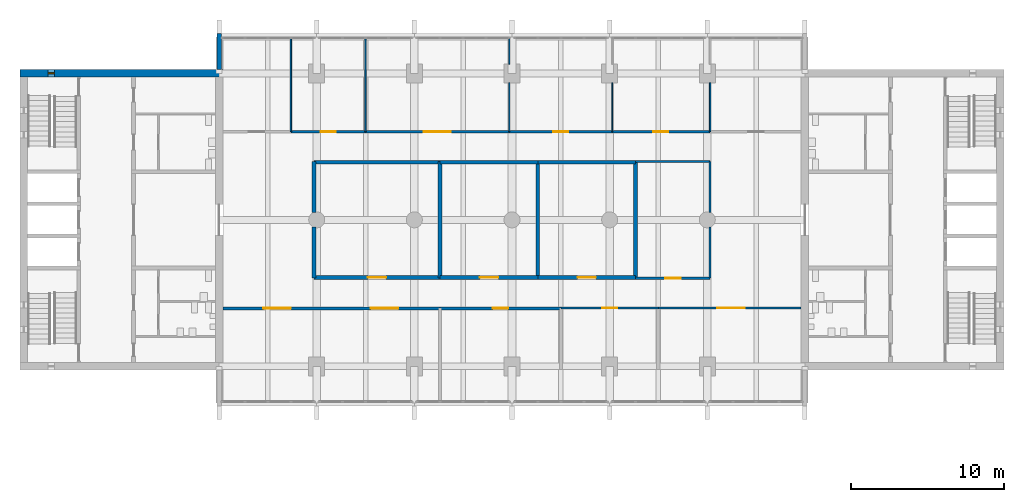
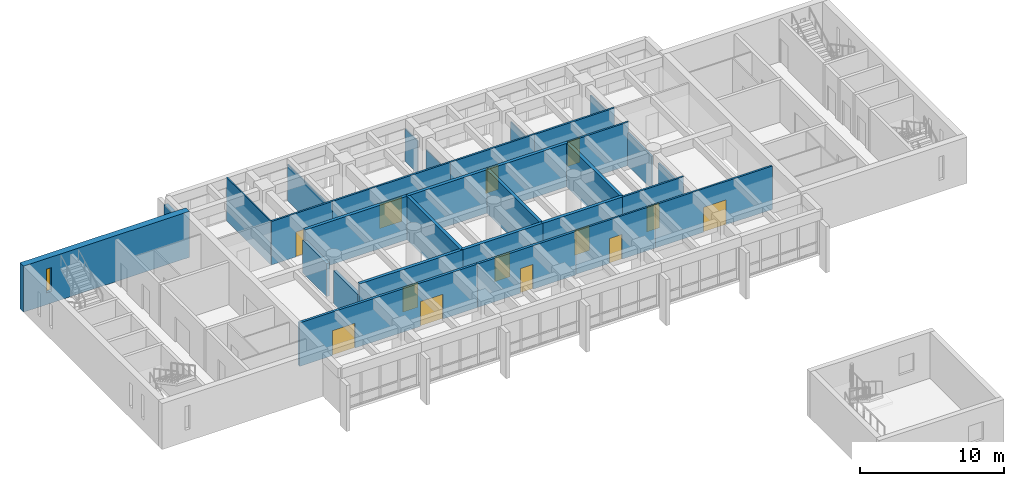
# One storey, part 12 of 19: 31 walls, 13 doors, 1 window, 14 openings.
"""IFC4 building model written with IfcOpenShell, lengths in metres."""

from ifc_helpers import new_model, si_unit, direction, frame, frame_2d, origin, place, context, subcontext, project, spatial, rectangle, extrude, material, layer, layer_set, type_object, element, fill, save


model = new_model("IFC4")

# Units and contexts
model_context = context("Model", 3, precision=1e-05, world=origin(), true_north=direction((0.0, 1.0)))
body_context = subcontext(model_context, "Body", "Model", "MODEL_VIEW")
ifc_project = project(units=[si_unit("LENGTHUNIT", "METRE"), si_unit("AREAUNIT", "SQUARE_METRE"), si_unit("VOLUMEUNIT", "CUBIC_METRE"), si_unit("PLANEANGLEUNIT", "RADIAN"), si_unit("MASSUNIT", "GRAM", prefix="KILO")], contexts=[model_context])

# Site, building, storey
site_placement = place(None, origin())
site = spatial("IfcSite", under=ifc_project, at=site_placement, CompositionType="ELEMENT")
building_placement = place(site_placement, origin())
building = spatial("IfcBuilding", under=site, at=building_placement, Name="Fogon Plaza Fire Station and Headquarters Tower", CompositionType="ELEMENT")
storey_placement = place(building_placement, frame((0.0, 0.0, 21.0)))
storey = spatial("IfcBuildingStorey", under=building, at=storey_placement, Name="L05", CompositionType="ELEMENT", Elevation=21.0)

# Wall
ifc_material_1 = material(Name="Concrete C40", Category="concrete")
ifc_layer_1 = layer(ifc_material_1, 0.300048828125)
ifc_layer_set_1 = layer_set([ifc_layer_1], Name="Concrete C40")
wall_type_1 = type_object("IfcWallType", Name="Fair-faced RC Return Panel 300", PredefinedType="SOLIDWALL", material=ifc_layer_set_1)
wall_1_placement = place(storey_placement, frame((25.60009765625, 53.050048828125, 0.0), z_axis=(0.0, 0.0, 1.0), x_axis=(0.0, 1.0, 0.0)))
element("IfcWall", 1, at=wall_1_placement, inside=storey, type_object=wall_type_1, Name="Bar end return WN L05", PredefinedType="SOLIDWALL", context=body_context, shape_type="SweptSolid", body=[
    extrude(rectangle(XDim=2.349853515625, YDim=0.300048828125, at=frame_2d((1.1748046875, 0.0))), origin(), (0.0, 0.0, 1.0), 2.8798828125),
])

# Wall, opening, window
ifc_material_2 = material(Name="Concrete C40", Category="concrete")
ifc_layer_2 = layer(ifc_material_2, 0.5)
ifc_layer_set_2 = layer_set([ifc_layer_2], Name="Concrete C40")
wall_type_2 = type_object("IfcWallType", Name="Shear wall 500 SW50", PredefinedType="SHEAR", material=ifc_layer_set_2)
wall_2_placement = place(storey_placement, frame((12.550048828125, 52.800048828125, 0.0), z_axis=(0.0, 0.0, 1.0), x_axis=(1.0, 0.0, 0.0)))
wall_2 = element("IfcWall", 2, at=wall_2_placement, inside=storey, type_object=wall_type_2, Name="wall-coreA-N-L05", PredefinedType="SHEAR", context=body_context, shape_type="SweptSolid", body=[
    extrude(rectangle(XDim=13.300048828125, YDim=0.5, at=frame_2d((6.64990234375, 0.0))), origin(), (0.0, 0.0, 1.0), 3.89990234375),
])
opening_1_placement = place(wall_2_placement, frame((1.85009765625, 0.0, 1.0)))
opening_1 = element("IfcOpeningElement", 3, at=opening_1_placement, cuts=wall_2, Name="Opening WS1", PredefinedType="OPENING", context=body_context, shape_type="SweptSolid", body=[
    extrude(rectangle(XDim=0.39990234375, YDim=2.0, at=frame_2d((0.199951171875, 1.0))), frame((0.0, 0.260009765625, 0.0), z_axis=(0.0, -1.0, 0.0), x_axis=(1.0, 0.0, 0.0)), (0.0, 0.0, 1.0), 0.52001953125),
])
ifc_material_3 = material(Name="Aluminium framed double glazing", Category="aluminium")
window_type = type_object("IfcWindowType", Name="Slit Window WS1 400x2000", PartitioningType="SINGLE_PANEL", PredefinedType="WINDOW", material=ifc_material_3)
window_placement = place(opening_1_placement, origin())
window = element("IfcWindow", 4, at=window_placement, inside=storey, type_object=window_type, Name="Slit window A6 L05", OverallHeight=2.0, OverallWidth=0.39990234375, PartitioningType="SINGLE_PANEL", PredefinedType="WINDOW", context=body_context, shape_type="SweptSolid", body=[
    extrude(rectangle(XDim=0.39990234375, YDim=2.0, at=frame_2d((0.199951171875, 1.0))), frame((0.0, 0.030029296875, 0.0), z_axis=(0.0, -1.0, 0.0), x_axis=(1.0, 0.0, 0.0)), (0.0, 0.0, 1.0), 0.06005859375),
])
fill(opening_1, window)

# Wall, openings, doors
ifc_material_4 = material(Name="Concrete block masonry", Category="masonry")
ifc_layer_3 = layer(ifc_material_4, 0.199951171875)
ifc_layer_set_3 = layer_set([ifc_layer_3], Name="Concrete block masonry")
wall_type_3 = type_object("IfcWallType", Name="Tower compartment wall 200 EI 120", PredefinedType="PARTITIONING", material=ifc_layer_set_3)
wall_3_placement = place(storey_placement, frame((25.85009765625, 37.39990234375, 0.0), z_axis=(0.0, 0.0, 1.0), x_axis=(1.0, 0.0, 0.0)))
wall_3 = element("IfcWall", 5, at=wall_3_placement, inside=storey, type_object=wall_type_3, Name="part-L05-01", PredefinedType="PARTITIONING", context=body_context, shape_type="SweptSolid", body=[
    extrude(rectangle(XDim=14.239990234375, YDim=0.199951171875, at=frame_2d((7.1201171875, 0.0))), origin(), (0.0, 0.0, 1.0), 3.679931640625),
])
opening_2_placement = place(wall_3_placement, frame((2.64990234375, 0.0, 0.0)))
opening_2 = element("IfcOpeningElement", 6, at=opening_2_placement, cuts=wall_3, Name="Opening L05-D29", PredefinedType="OPENING", context=body_context, shape_type="SweptSolid", body=[
    extrude(rectangle(XDim=1.800048828125, YDim=2.10009765625, at=frame_2d((0.89990234375, 1.050048828125))), frame((0.0, 0.10986328125, 0.0), z_axis=(0.0, -1.0, 0.0), x_axis=(1.0, 0.0, 0.0)), (0.0, 0.0, 1.0), 0.219970703125),
])
opening_3_placement = place(wall_3_placement, frame((9.699951171875, 0.0, 0.0)))
opening_3 = element("IfcOpeningElement", 7, at=opening_3_placement, cuts=wall_3, Name="Opening L05-D30", PredefinedType="OPENING", context=body_context, shape_type="SweptSolid", body=[
    extrude(rectangle(XDim=1.800048828125, YDim=2.10009765625, at=frame_2d((0.89990234375, 1.050048828125))), frame((0.0, 0.10986328125, 0.0), z_axis=(0.0, -1.0, 0.0), x_axis=(1.0, 0.0, 0.0)), (0.0, 0.0, 1.0), 0.219970703125),
])
ifc_material_5 = material(Name="Steel fire door", Category="steel")
door_type_1 = type_object("IfcDoorType", Name="Tower compartment door double 1800 EI 90", OperationType="DOUBLE_DOOR_SINGLE_SWING", PredefinedType="DOOR", material=ifc_material_5)
door_1_placement = place(opening_2_placement, frame((1.800048828125, 0.0, 0.0), z_axis=(0.0, 0.0, 1.0), x_axis=(-1.0, 0.0, 0.0)))
door_1 = element("IfcDoor", 8, at=door_1_placement, inside=storey, type_object=door_type_1, Name="door-L05-01", OperationType="DOUBLE_DOOR_SINGLE_SWING", OverallHeight=2.10009765625, OverallWidth=1.800048828125, PredefinedType="DOOR", context=body_context, shape_type="SweptSolid", body=[
    extrude(rectangle(XDim=1.800048828125, YDim=2.10009765625, at=frame_2d((0.89990234375, 1.050048828125))), frame((0.0, 0.02490234375, 0.0), z_axis=(0.0, -1.0, 0.0), x_axis=(1.0, 0.0, 0.0)), (0.0, 0.0, 1.0), 0.050048828125),
])
fill(opening_2, door_1)
door_2_placement = place(opening_3_placement, frame((1.800048828125, 0.0, 0.0), z_axis=(0.0, 0.0, 1.0), x_axis=(-1.0, 0.0, 0.0)))
door_2 = element("IfcDoor", 9, at=door_2_placement, inside=storey, type_object=door_type_1, Name="door-L05-02", OperationType="DOUBLE_DOOR_SINGLE_SWING", OverallHeight=2.10009765625, OverallWidth=1.800048828125, PredefinedType="DOOR", context=body_context, shape_type="SweptSolid", body=[
    extrude(rectangle(XDim=1.800048828125, YDim=2.10009765625, at=frame_2d((0.89990234375, 1.050048828125))), frame((0.0, 0.02490234375, 0.0), z_axis=(0.0, -1.0, 0.0), x_axis=(1.0, 0.0, 0.0)), (0.0, 0.0, 1.0), 0.050048828125),
])
fill(opening_3, door_2)

# Wall, opening, door
wall_4_placement = place(storey_placement, frame((40.090087890625, 37.39990234375, 0.0), z_axis=(0.0, 0.0, 1.0), x_axis=(1.0, 0.0, 0.0)))
wall_4 = element("IfcWall", 10, at=wall_4_placement, inside=storey, type_object=wall_type_3, Name="part-L05-02", PredefinedType="PARTITIONING", context=body_context, shape_type="SweptSolid", body=[
    extrude(rectangle(XDim=7.909912109375, YDim=0.199951171875, at=frame_2d((3.955078125, 0.0))), origin(), (0.0, 0.0, 1.0), 3.679931640625),
])
opening_4_placement = place(wall_4_placement, frame((3.4599609375, 0.0, 0.0)))
opening_4 = element("IfcOpeningElement", 11, at=opening_4_placement, cuts=wall_4, Name="Opening L05-D31", PredefinedType="OPENING", context=body_context, shape_type="SweptSolid", body=[
    extrude(rectangle(XDim=1.0, YDim=2.10009765625, at=frame_2d((0.5, 1.050048828125))), frame((0.0, 0.10986328125, 0.0), z_axis=(0.0, -1.0, 0.0), x_axis=(1.0, 0.0, 0.0)), (0.0, 0.0, 1.0), 0.219970703125),
])
ifc_material_6 = material(Name="Steel fire door", Category="steel")
door_type_2 = type_object("IfcDoorType", Name="Tower compartment door single 1000 EI 90", OperationType="SINGLE_SWING_LEFT", PredefinedType="DOOR", material=ifc_material_6)
door_3_placement = place(opening_4_placement, frame((1.0, 0.0, 0.0), z_axis=(0.0, 0.0, 1.0), x_axis=(-1.0, 0.0, 0.0)))
door_3 = element("IfcDoor", 12, at=door_3_placement, inside=storey, type_object=door_type_2, Name="door-L05-03", OperationType="SINGLE_SWING_LEFT", OverallHeight=2.10009765625, OverallWidth=1.0, PredefinedType="DOOR", context=body_context, shape_type="SweptSolid", body=[
    extrude(rectangle(XDim=1.0, YDim=2.10009765625, at=frame_2d((0.5, 1.050048828125))), frame((0.0, 0.02490234375, 0.0), z_axis=(0.0, -1.0, 0.0), x_axis=(1.0, 0.0, 0.0)), (0.0, 0.0, 1.0), 0.050048828125),
])
fill(opening_4, door_3)

ifc_material_7 = material(Name="Gypsum board on steel stud", Category="steel")
ifc_layer_4 = layer(ifc_material_7, 0.14990234375)
ifc_layer_set_4 = layer_set([ifc_layer_4], Name="Gypsum board on steel stud")
wall_type_4 = type_object("IfcWallType", Name="Tower corridor partition 150 EI 60", PredefinedType="PARTITIONING", material=ifc_layer_set_4)
wall_5_placement = place(storey_placement, frame((48.0, 37.425048828125, 0.0), z_axis=(0.0, 0.0, 1.0), x_axis=(1.0, 0.0, 0.0)))
wall_5 = element("IfcWall", 13, at=wall_5_placement, inside=storey, type_object=wall_type_4, Name="part-L05-03", PredefinedType="PARTITIONING", context=body_context, shape_type="SweptSolid", body=[
    extrude(rectangle(XDim=6.39990234375, YDim=0.14990234375, at=frame_2d((3.199951171875, 0.0))), origin(), (0.0, 0.0, 1.0), 3.679931640625),
])
opening_5_placement = place(wall_5_placement, frame((2.699951171875, 0.0, 0.0)))
opening_5 = element("IfcOpeningElement", 14, at=opening_5_placement, cuts=wall_5, Name="Opening L05-D32", PredefinedType="OPENING", context=body_context, shape_type="SweptSolid", body=[
    extrude(rectangle(XDim=1.0, YDim=2.10009765625, at=frame_2d((0.5, 1.050048828125))), frame((0.0, 0.0849609375, 0.0), z_axis=(0.0, -1.0, 0.0), x_axis=(1.0, 0.0, 0.0)), (0.0, 0.0, 1.0), 0.169921875),
])
ifc_material_8 = material(Name="Fire rated glazed door")
door_type_3 = type_object("IfcDoorType", Name="Tower glazed fire door single 1000 EI 20", OperationType="SINGLE_SWING_LEFT", PredefinedType="DOOR", material=ifc_material_8)
door_4_placement = place(opening_5_placement, frame((1.0, 0.0, 0.0), z_axis=(0.0, 0.0, 1.0), x_axis=(-1.0, 0.0, 0.0)))
door_4 = element("IfcDoor", 15, at=door_4_placement, inside=storey, type_object=door_type_3, Name="door-L05-04", OperationType="SINGLE_SWING_RIGHT", OverallHeight=2.10009765625, OverallWidth=1.0, PredefinedType="DOOR", context=body_context, shape_type="SweptSolid", body=[
    extrude(rectangle(XDim=1.0, YDim=2.10009765625, at=frame_2d((0.5, 1.050048828125))), frame((0.0, 0.02490234375, 0.0), z_axis=(0.0, -1.0, 0.0), x_axis=(1.0, 0.0, 0.0)), (0.0, 0.0, 1.0), 0.050048828125),
])
fill(opening_5, door_4)

wall_6_placement = place(storey_placement, frame((54.39990234375, 37.425048828125, 0.0), z_axis=(0.0, 0.0, 1.0), x_axis=(1.0, 0.0, 0.0)))
wall_6 = element("IfcWall", 16, at=wall_6_placement, inside=storey, type_object=wall_type_4, Name="part-L05-04", PredefinedType="PARTITIONING", context=body_context, shape_type="SweptSolid", body=[
    extrude(rectangle(XDim=9.35009765625, YDim=0.14990234375, at=frame_2d((4.675048828125, 0.0))), origin(), (0.0, 0.0, 1.0), 3.679931640625),
])
opening_6_placement = place(wall_6_placement, frame((3.85009765625, 0.0, 0.0)))
opening_6 = element("IfcOpeningElement", 17, at=opening_6_placement, cuts=wall_6, Name="Opening L05-D33", PredefinedType="OPENING", context=body_context, shape_type="SweptSolid", body=[
    extrude(rectangle(XDim=1.800048828125, YDim=2.10009765625, at=frame_2d((0.89990234375, 1.050048828125))), frame((0.0, 0.0849609375, 0.0), z_axis=(0.0, -1.0, 0.0), x_axis=(1.0, 0.0, 0.0)), (0.0, 0.0, 1.0), 0.169921875),
])
ifc_material_9 = material(Name="Timber fire door", Category="wood")
door_type_4 = type_object("IfcDoorType", Name="Tower fire door double 1800 EI 20", OperationType="DOUBLE_DOOR_SINGLE_SWING", PredefinedType="DOOR", material=ifc_material_9)
door_5_placement = place(opening_6_placement, frame((1.800048828125, 0.0, 0.0), z_axis=(0.0, 0.0, 1.0), x_axis=(-1.0, 0.0, 0.0)))
door_5 = element("IfcDoor", 18, at=door_5_placement, inside=storey, type_object=door_type_4, Name="door-L05-05", OperationType="DOUBLE_DOOR_SINGLE_SWING", OverallHeight=2.10009765625, OverallWidth=1.800048828125, PredefinedType="DOOR", context=body_context, shape_type="SweptSolid", body=[
    extrude(rectangle(XDim=1.800048828125, YDim=2.10009765625, at=frame_2d((0.89990234375, 1.050048828125))), frame((0.0, 0.02490234375, 0.0), z_axis=(0.0, -1.0, 0.0), x_axis=(1.0, 0.0, 0.0)), (0.0, 0.0, 1.0), 0.050048828125),
])
fill(opening_6, door_5)

wall_7_placement = place(storey_placement, frame((52.889892578125, 39.375, 0.0), z_axis=(0.0, 0.0, 1.0), x_axis=(1.0, 0.0, 0.0)))
wall_7 = element("IfcWall", 19, at=wall_7_placement, inside=storey, type_object=wall_type_4, Name="part-L05-14", PredefinedType="PARTITIONING", context=body_context, shape_type="SweptSolid", body=[
    extrude(rectangle(XDim=4.89013671875, YDim=0.14990234375, at=frame_2d((2.445068359375, 0.0))), origin(), (0.0, 0.0, 1.0), 3.679931640625),
])
opening_7_placement = place(wall_7_placement, frame((1.9599609375, 0.0, 0.0)))
opening_7 = element("IfcOpeningElement", 20, at=opening_7_placement, cuts=wall_7, Name="Opening L05-D37", PredefinedType="OPENING", context=body_context, shape_type="SweptSolid", body=[
    extrude(rectangle(XDim=1.0, YDim=2.10009765625, at=frame_2d((0.5, 1.050048828125))), frame((0.0, 0.0849609375, 0.0), z_axis=(0.0, -1.0, 0.0), x_axis=(1.0, 0.0, 0.0)), (0.0, 0.0, 1.0), 0.169921875),
])
ifc_material_10 = material(Name="Timber fire door", Category="wood")
door_type_5 = type_object("IfcDoorType", Name="Tower fire door single 1000 EI 20", OperationType="SINGLE_SWING_LEFT", PredefinedType="DOOR", material=ifc_material_10)
door_6_placement = place(opening_7_placement, origin())
door_6 = element("IfcDoor", 21, at=door_6_placement, inside=storey, type_object=door_type_5, Name="door-L05-09", OperationType="SINGLE_SWING_RIGHT", OverallHeight=2.10009765625, OverallWidth=1.0, PredefinedType="DOOR", context=body_context, shape_type="SweptSolid", body=[
    extrude(rectangle(XDim=1.0, YDim=2.10009765625, at=frame_2d((0.5, 1.050048828125))), frame((0.0, 0.02490234375, 0.0), z_axis=(0.0, -1.0, 0.0), x_axis=(1.0, 0.0, 0.0)), (0.0, 0.0, 1.0), 0.050048828125),
])
fill(opening_7, door_6)

# Wall
wall_8_placement = place(storey_placement, frame((52.889892578125, 47.02490234375, 0.0), z_axis=(0.0, 0.0, 1.0), x_axis=(1.0, 0.0, 0.0)))
element("IfcWall", 22, at=wall_8_placement, inside=storey, type_object=wall_type_4, Name="part-L05-15", PredefinedType="PARTITIONING", context=body_context, shape_type="SweptSolid", body=[
    extrude(rectangle(XDim=4.89013671875, YDim=0.14990234375, at=frame_2d((2.445068359375, 0.0))), origin(), (0.0, 0.0, 1.0), 3.679931640625),
])

# Wall, opening, door
wall_9_placement = place(storey_placement, frame((30.31005859375, 48.97509765625, 0.0), z_axis=(0.0, 0.0, 1.0), x_axis=(1.0, 0.0, 0.0)))
wall_9 = element("IfcWall", 23, at=wall_9_placement, inside=storey, type_object=wall_type_4, Name="part-L05-20", PredefinedType="PARTITIONING", context=body_context, shape_type="SweptSolid", body=[
    extrude(rectangle(XDim=4.889892578125, YDim=0.14990234375, at=frame_2d((2.44482421875, 0.0))), origin(), (0.0, 0.0, 1.0), 3.679931640625),
])
opening_8_placement = place(wall_9_placement, frame((1.93994140625, 0.0, 0.0)))
opening_8 = element("IfcOpeningElement", 24, at=opening_8_placement, cuts=wall_9, Name="Opening L05-D39", PredefinedType="OPENING", context=body_context, shape_type="SweptSolid", body=[
    extrude(rectangle(XDim=1.0, YDim=2.10009765625, at=frame_2d((0.5, 1.050048828125))), frame((0.0, 0.0849609375, 0.0), z_axis=(0.0, -1.0, 0.0), x_axis=(1.0, 0.0, 0.0)), (0.0, 0.0, 1.0), 0.169921875),
])
door_7_placement = place(opening_8_placement, origin())
door_7 = element("IfcDoor", 25, at=door_7_placement, inside=storey, type_object=door_type_5, Name="door-L05-11", OperationType="SINGLE_SWING_RIGHT", OverallHeight=2.10009765625, OverallWidth=1.0, PredefinedType="DOOR", context=body_context, shape_type="SweptSolid", body=[
    extrude(rectangle(XDim=1.0, YDim=2.10009765625, at=frame_2d((0.5, 1.050048828125))), frame((0.0, 0.02490234375, 0.0), z_axis=(0.0, -1.0, 0.0), x_axis=(1.0, 0.0, 0.0)), (0.0, 0.0, 1.0), 0.050048828125),
])
fill(opening_8, door_7)

wall_10_placement = place(storey_placement, frame((35.199951171875, 48.97509765625, 0.0), z_axis=(0.0, 0.0, 1.0), x_axis=(1.0, 0.0, 0.0)))
wall_10 = element("IfcWall", 26, at=wall_10_placement, inside=storey, type_object=wall_type_4, Name="part-L05-21", PredefinedType="PARTITIONING", context=body_context, shape_type="SweptSolid", body=[
    extrude(rectangle(XDim=9.420166015625, YDim=0.14990234375, at=frame_2d((4.7099609375, 0.0))), origin(), (0.0, 0.0, 1.0), 3.679931640625),
])
opening_9_placement = place(wall_10_placement, frame((3.800048828125, 0.0, 0.0)))
opening_9 = element("IfcOpeningElement", 27, at=opening_9_placement, cuts=wall_10, Name="Opening L05-D40", PredefinedType="OPENING", context=body_context, shape_type="SweptSolid", body=[
    extrude(rectangle(XDim=1.800048828125, YDim=2.10009765625, at=frame_2d((0.89990234375, 1.050048828125))), frame((0.0, 0.0849609375, 0.0), z_axis=(0.0, -1.0, 0.0), x_axis=(1.0, 0.0, 0.0)), (0.0, 0.0, 1.0), 0.169921875),
])
door_8_placement = place(opening_9_placement, origin())
door_8 = element("IfcDoor", 28, at=door_8_placement, inside=storey, type_object=door_type_4, Name="door-L05-12", OperationType="DOUBLE_DOOR_SINGLE_SWING", OverallHeight=2.10009765625, OverallWidth=1.800048828125, PredefinedType="DOOR", context=body_context, shape_type="SweptSolid", body=[
    extrude(rectangle(XDim=1.800048828125, YDim=2.10009765625, at=frame_2d((0.89990234375, 1.050048828125))), frame((0.0, 0.02490234375, 0.0), z_axis=(0.0, -1.0, 0.0), x_axis=(1.0, 0.0, 0.0)), (0.0, 0.0, 1.0), 0.050048828125),
])
fill(opening_9, door_8)

wall_11_placement = place(storey_placement, frame((44.6201171875, 48.97509765625, 0.0), z_axis=(0.0, 0.0, 1.0), x_axis=(1.0, 0.0, 0.0)))
wall_11 = element("IfcWall", 29, at=wall_11_placement, inside=storey, type_object=wall_type_4, Name="part-L05-22", PredefinedType="PARTITIONING", context=body_context, shape_type="SweptSolid", body=[
    extrude(rectangle(XDim=6.759765625, YDim=0.14990234375, at=frame_2d((3.3798828125, 0.0))), origin(), (0.0, 0.0, 1.0), 3.679931640625),
])
opening_10_placement = place(wall_11_placement, frame((2.8798828125, 0.0, 0.0)))
opening_10 = element("IfcOpeningElement", 30, at=opening_10_placement, cuts=wall_11, Name="Opening L05-D41", PredefinedType="OPENING", context=body_context, shape_type="SweptSolid", body=[
    extrude(rectangle(XDim=1.0, YDim=2.10009765625, at=frame_2d((0.5, 1.050048828125))), frame((0.0, 0.0849609375, 0.0), z_axis=(0.0, -1.0, 0.0), x_axis=(1.0, 0.0, 0.0)), (0.0, 0.0, 1.0), 0.169921875),
])
door_9_placement = place(opening_10_placement, origin())
door_9 = element("IfcDoor", 31, at=door_9_placement, inside=storey, type_object=door_type_3, Name="door-L05-13", OperationType="SINGLE_SWING_LEFT", OverallHeight=2.10009765625, OverallWidth=1.0, PredefinedType="DOOR", context=body_context, shape_type="SweptSolid", body=[
    extrude(rectangle(XDim=1.0, YDim=2.10009765625, at=frame_2d((0.5, 1.050048828125))), frame((0.0, 0.02490234375, 0.0), z_axis=(0.0, -1.0, 0.0), x_axis=(1.0, 0.0, 0.0)), (0.0, 0.0, 1.0), 0.050048828125),
])
fill(opening_10, door_9)

wall_12_placement = place(storey_placement, frame((51.3798828125, 48.97509765625, 0.0), z_axis=(0.0, 0.0, 1.0), x_axis=(1.0, 0.0, 0.0)))
wall_12 = element("IfcWall", 32, at=wall_12_placement, inside=storey, type_object=wall_type_4, Name="part-L05-23", PredefinedType="PARTITIONING", context=body_context, shape_type="SweptSolid", body=[
    extrude(rectangle(XDim=6.400146484375, YDim=0.14990234375, at=frame_2d((3.2001953125, 0.0))), origin(), (0.0, 0.0, 1.0), 3.679931640625),
])
opening_11_placement = place(wall_12_placement, frame((2.669921875, 0.0, 0.0)))
opening_11 = element("IfcOpeningElement", 33, at=opening_11_placement, cuts=wall_12, Name="Opening L05-D42", PredefinedType="OPENING", context=body_context, shape_type="SweptSolid", body=[
    extrude(rectangle(XDim=1.0, YDim=2.10009765625, at=frame_2d((0.5, 1.050048828125))), frame((0.0, 0.0849609375, 0.0), z_axis=(0.0, -1.0, 0.0), x_axis=(1.0, 0.0, 0.0)), (0.0, 0.0, 1.0), 0.169921875),
])
door_10_placement = place(opening_11_placement, origin())
door_10 = element("IfcDoor", 34, at=door_10_placement, inside=storey, type_object=door_type_5, Name="door-L05-14", OperationType="SINGLE_SWING_RIGHT", OverallHeight=2.10009765625, OverallWidth=1.0, PredefinedType="DOOR", context=body_context, shape_type="SweptSolid", body=[
    extrude(rectangle(XDim=1.0, YDim=2.10009765625, at=frame_2d((0.5, 1.050048828125))), frame((0.0, 0.02490234375, 0.0), z_axis=(0.0, -1.0, 0.0), x_axis=(1.0, 0.0, 0.0)), (0.0, 0.0, 1.0), 0.050048828125),
])
fill(opening_11, door_10)

# Walls
ifc_material_11 = material(Name="Gypsum board on steel stud", Category="steel")
ifc_layer_5 = layer(ifc_material_11, 0.14990234375)
ifc_layer_set_5 = layer_set([ifc_layer_5], Name="Gypsum board on steel stud")
wall_type_5 = type_object("IfcWallType", Name="Tower corridor partition 150 EI 60 Beam Head 900", PredefinedType="PARTITIONING", material=ifc_layer_set_5)
for number, where, z_axis, x_axis, name in (
    (35, (57.780029296875, 39.375, 0.0), (0.0, 0.0, 1.0), (0.0, 1.0, 0.0), "part-L05-35"),
    (36, (57.780029296875, 43.673095703125, 0.0), (0.0, 0.0, 1.0), (0.0, 1.0, 0.0), "part-L05-36"),
):
    element("IfcWall", number, at=place(storey_placement, frame(where, z_axis=z_axis, x_axis=x_axis)), inside=storey, type_object=wall_type_5, Name=name, PredefinedType="PARTITIONING", context=body_context, shape_type="SweptSolid", body=[
        extrude(rectangle(XDim=3.351806640625, YDim=0.14990234375, at=frame_2d((1.67578125, 0.0))), origin(), (0.0, 0.0, 1.0), 2.780029296875),
    ])
ifc_material_12 = material(Name="Glazed aluminium partition", Category="aluminium")
ifc_layer_6 = layer(ifc_material_12, 0.074951171875)
ifc_layer_set_6 = layer_set([ifc_layer_6], Name="Glazed aluminium partition")
wall_type_6 = type_object("IfcWallType", Name="Tower glazed partition 75 Beam Head 900", PredefinedType="PARTITIONING", material=ifc_layer_set_6)
wall_13_placement = place(storey_placement, frame((44.6201171875, 48.97509765625, 0.0), z_axis=(0.0, 0.0, 1.0), x_axis=(0.0, 1.0, 0.0)))
element("IfcWall", 37, at=wall_13_placement, inside=storey, type_object=wall_type_6, Name="part-L05-27", PredefinedType="PARTITIONING", context=body_context, shape_type="SweptSolid", body=[
    extrude(rectangle(XDim=3.219970703125, YDim=0.074951171875, at=frame_2d((1.60986328125, 0.0))), origin(), (0.0, 0.0, 1.0), 2.780029296875),
])
wall_14_placement = place(storey_placement, frame((44.6201171875, 53.405029296875, 0.0), z_axis=(0.0, 0.0, 1.0), x_axis=(0.0, 1.0, 0.0)))
element("IfcWall", 38, at=wall_14_placement, inside=storey, type_object=wall_type_6, Name="part-L05-28", PredefinedType="PARTITIONING", context=body_context, shape_type="SweptSolid", body=[
    extrude(rectangle(XDim=1.695068359375, YDim=0.074951171875, at=frame_2d((0.84765625, 0.0))), origin(), (0.0, 0.0, 1.0), 2.780029296875),
])
wall_15_placement = place(storey_placement, frame((51.3798828125, 48.97509765625, 0.0), z_axis=(0.0, 0.0, 1.0), x_axis=(0.0, 1.0, 0.0)))
element("IfcWall", 39, at=wall_15_placement, inside=storey, type_object=wall_type_6, Name="part-L05-29", PredefinedType="PARTITIONING", context=body_context, shape_type="SweptSolid", body=[
    extrude(rectangle(XDim=3.219970703125, YDim=0.074951171875, at=frame_2d((1.60986328125, 0.0))), origin(), (0.0, 0.0, 1.0), 2.780029296875),
])
ifc_material_13 = material(Name="Gypsum board on steel stud", Category="steel")
ifc_layer_7 = layer(ifc_material_13, 0.10009765625)
ifc_layer_set_7 = layer_set([ifc_layer_7], Name="Gypsum board on steel stud")
wall_type_7 = type_object("IfcWallType", Name="Tower office partition 100", PredefinedType="PARTITIONING", material=ifc_layer_set_7)
wall_16_placement = place(storey_placement, frame((30.31005859375, 48.97509765625, 0.0), z_axis=(0.0, 0.0, 1.0), x_axis=(0.0, 1.0, 0.0)))
element("IfcWall", 40, at=wall_16_placement, inside=storey, type_object=wall_type_7, Name="part-L05-25", PredefinedType="PARTITIONING", context=body_context, shape_type="SweptSolid", body=[
    extrude(rectangle(XDim=6.125, YDim=0.10009765625, at=frame_2d((3.0625, 0.0))), origin(), (0.0, 0.0, 1.0), 3.679931640625),
])
ifc_material_14 = material(Name="Gypsum board on steel stud", Category="steel")
ifc_layer_8 = layer(ifc_material_14, 0.10009765625)
ifc_layer_set_8 = layer_set([ifc_layer_8], Name="Gypsum board on steel stud")
wall_type_8 = type_object("IfcWallType", Name="Tower office partition 100 Beam Head 600", PredefinedType="PARTITIONING", material=ifc_layer_set_8)
wall_17_placement = place(storey_placement, frame((35.199951171875, 48.97509765625, 0.0), z_axis=(0.0, 0.0, 1.0), x_axis=(0.0, 1.0, 0.0)))
element("IfcWall", 41, at=wall_17_placement, inside=storey, type_object=wall_type_8, Name="part-L05-26", PredefinedType="PARTITIONING", context=body_context, shape_type="SweptSolid", body=[
    extrude(rectangle(XDim=6.125, YDim=0.10009765625, at=frame_2d((3.0625, 0.0))), origin(), (0.0, 0.0, 1.0), 3.080078125),
])
ifc_material_15 = material(Name="Gypsum board on steel stud", Category="steel")
ifc_layer_9 = layer(ifc_material_15, 0.10009765625)
ifc_layer_set_9 = layer_set([ifc_layer_9], Name="Gypsum board on steel stud")
wall_type_9 = type_object("IfcWallType", Name="Tower office partition 100 Beam Head 900", PredefinedType="PARTITIONING", material=ifc_layer_set_9)
wall_18_placement = place(storey_placement, frame((57.780029296875, 48.97509765625, 0.0), z_axis=(0.0, 0.0, 1.0), x_axis=(0.0, 1.0, 0.0)))
element("IfcWall", 42, at=wall_18_placement, inside=storey, type_object=wall_type_9, Name="part-L05-31", PredefinedType="PARTITIONING", context=body_context, shape_type="SweptSolid", body=[
    extrude(rectangle(XDim=3.219970703125, YDim=0.10009765625, at=frame_2d((1.60986328125, 0.0))), origin(), (0.0, 0.0, 1.0), 2.780029296875),
])

# Wall, opening, door
ifc_material_16 = material(Name="Concrete block masonry", Category="masonry")
ifc_layer_10 = layer(ifc_material_16, 0.25)
ifc_layer_set_10 = layer_set([ifc_layer_10], Name="Concrete block masonry")
wall_type_10 = type_object("IfcWallType", Name="Tower plant wall 250 EI 120", PredefinedType="PARTITIONING", material=ifc_layer_set_10)
wall_19_placement = place(storey_placement, frame((31.820068359375, 39.425048828125, 0.0), z_axis=(0.0, 0.0, 1.0), x_axis=(1.0, 0.0, 0.0)))
wall_19 = element("IfcWall", 43, at=wall_19_placement, inside=storey, type_object=wall_type_10, Name="part-L05-08", PredefinedType="PARTITIONING", context=body_context, shape_type="SweptSolid", body=[
    extrude(rectangle(XDim=8.27001953125, YDim=0.25, at=frame_2d((4.135009765625, 0.0))), origin(), (0.0, 0.0, 1.0), 3.679931640625),
])
opening_12_placement = place(wall_19_placement, frame((3.530029296875, 0.0, 0.0)))
opening_12 = element("IfcOpeningElement", 44, at=opening_12_placement, cuts=wall_19, Name="Opening L05-D34", PredefinedType="OPENING", context=body_context, shape_type="SweptSolid", body=[
    extrude(rectangle(XDim=1.199951171875, YDim=2.10009765625, at=frame_2d((0.60009765625, 1.050048828125))), frame((0.0, 0.135009765625, 0.0), z_axis=(0.0, -1.0, 0.0), x_axis=(1.0, 0.0, 0.0)), (0.0, 0.0, 1.0), 0.27001953125),
])
ifc_material_17 = material(Name="Steel fire door", Category="steel")
door_type_6 = type_object("IfcDoorType", Name="Tower plant door double 1200 EI 90", OperationType="DOUBLE_DOOR_SINGLE_SWING", PredefinedType="DOOR", material=ifc_material_17)
door_11_placement = place(opening_12_placement, origin())
door_11 = element("IfcDoor", 45, at=door_11_placement, inside=storey, type_object=door_type_6, Name="door-L05-06", OperationType="DOUBLE_DOOR_SINGLE_SWING", OverallHeight=2.10009765625, OverallWidth=1.199951171875, PredefinedType="DOOR", context=body_context, shape_type="SweptSolid", body=[
    extrude(rectangle(XDim=1.199951171875, YDim=2.10009765625, at=frame_2d((0.60009765625, 1.050048828125))), frame((0.0, 0.02490234375, 0.0), z_axis=(0.0, -1.0, 0.0), x_axis=(1.0, 0.0, 0.0)), (0.0, 0.0, 1.0), 0.050048828125),
])
fill(opening_12, door_11)

# Wall
wall_20_placement = place(storey_placement, frame((31.820068359375, 46.97509765625, 0.0), z_axis=(0.0, 0.0, 1.0), x_axis=(1.0, 0.0, 0.0)))
element("IfcWall", 46, at=wall_20_placement, inside=storey, type_object=wall_type_10, Name="part-L05-09", PredefinedType="PARTITIONING", context=body_context, shape_type="SweptSolid", body=[
    extrude(rectangle(XDim=8.27001953125, YDim=0.25, at=frame_2d((4.135009765625, 0.0))), origin(), (0.0, 0.0, 1.0), 3.679931640625),
])

# Wall, opening, door
wall_21_placement = place(storey_placement, frame((40.090087890625, 39.425048828125, 0.0), z_axis=(0.0, 0.0, 1.0), x_axis=(1.0, 0.0, 0.0)))
wall_21 = element("IfcWall", 47, at=wall_21_placement, inside=storey, type_object=wall_type_10, Name="part-L05-10", PredefinedType="PARTITIONING", context=body_context, shape_type="SweptSolid", body=[
    extrude(rectangle(XDim=6.39990234375, YDim=0.25, at=frame_2d((3.199951171875, 0.0))), origin(), (0.0, 0.0, 1.0), 3.679931640625),
])
opening_13_placement = place(wall_21_placement, frame((2.610107421875, 0.0, 0.0)))
opening_13 = element("IfcOpeningElement", 48, at=opening_13_placement, cuts=wall_21, Name="Opening L05-D35", PredefinedType="OPENING", context=body_context, shape_type="SweptSolid", body=[
    extrude(rectangle(XDim=1.199951171875, YDim=2.10009765625, at=frame_2d((0.60009765625, 1.050048828125))), frame((0.0, 0.135009765625, 0.0), z_axis=(0.0, -1.0, 0.0), x_axis=(1.0, 0.0, 0.0)), (0.0, 0.0, 1.0), 0.27001953125),
])
door_12_placement = place(opening_13_placement, origin())
door_12 = element("IfcDoor", 49, at=door_12_placement, inside=storey, type_object=door_type_6, Name="door-L05-07", OperationType="DOUBLE_DOOR_SINGLE_SWING", OverallHeight=2.10009765625, OverallWidth=1.199951171875, PredefinedType="DOOR", context=body_context, shape_type="SweptSolid", body=[
    extrude(rectangle(XDim=1.199951171875, YDim=2.10009765625, at=frame_2d((0.60009765625, 1.050048828125))), frame((0.0, 0.02490234375, 0.0), z_axis=(0.0, -1.0, 0.0), x_axis=(1.0, 0.0, 0.0)), (0.0, 0.0, 1.0), 0.050048828125),
])
fill(opening_13, door_12)

# Wall
wall_22_placement = place(storey_placement, frame((40.090087890625, 46.97509765625, 0.0), z_axis=(0.0, 0.0, 1.0), x_axis=(1.0, 0.0, 0.0)))
element("IfcWall", 50, at=wall_22_placement, inside=storey, type_object=wall_type_10, Name="part-L05-11", PredefinedType="PARTITIONING", context=body_context, shape_type="SweptSolid", body=[
    extrude(rectangle(XDim=6.39990234375, YDim=0.25, at=frame_2d((3.199951171875, 0.0))), origin(), (0.0, 0.0, 1.0), 3.679931640625),
])

# Wall, opening, door
wall_23_placement = place(storey_placement, frame((46.489990234375, 39.425048828125, 0.0), z_axis=(0.0, 0.0, 1.0), x_axis=(1.0, 0.0, 0.0)))
wall_23 = element("IfcWall", 51, at=wall_23_placement, inside=storey, type_object=wall_type_10, Name="part-L05-12", PredefinedType="PARTITIONING", context=body_context, shape_type="SweptSolid", body=[
    extrude(rectangle(XDim=6.39990234375, YDim=0.25, at=frame_2d((3.199951171875, 0.0))), origin(), (0.0, 0.0, 1.0), 3.679931640625),
])
opening_14_placement = place(wall_23_placement, frame((2.610107421875, 0.0, 0.0)))
opening_14 = element("IfcOpeningElement", 52, at=opening_14_placement, cuts=wall_23, Name="Opening L05-D36", PredefinedType="OPENING", context=body_context, shape_type="SweptSolid", body=[
    extrude(rectangle(XDim=1.199951171875, YDim=2.10009765625, at=frame_2d((0.60009765625, 1.050048828125))), frame((0.0, 0.135009765625, 0.0), z_axis=(0.0, -1.0, 0.0), x_axis=(1.0, 0.0, 0.0)), (0.0, 0.0, 1.0), 0.27001953125),
])
door_13_placement = place(opening_14_placement, origin())
door_13 = element("IfcDoor", 53, at=door_13_placement, inside=storey, type_object=door_type_6, Name="door-L05-08", OperationType="DOUBLE_DOOR_SINGLE_SWING", OverallHeight=2.10009765625, OverallWidth=1.199951171875, PredefinedType="DOOR", context=body_context, shape_type="SweptSolid", body=[
    extrude(rectangle(XDim=1.199951171875, YDim=2.10009765625, at=frame_2d((0.60009765625, 1.050048828125))), frame((0.0, 0.02490234375, 0.0), z_axis=(0.0, -1.0, 0.0), x_axis=(1.0, 0.0, 0.0)), (0.0, 0.0, 1.0), 0.050048828125),
])
fill(opening_14, door_13)

# Walls
wall_24_placement = place(storey_placement, frame((46.489990234375, 46.97509765625, 0.0), z_axis=(0.0, 0.0, 1.0), x_axis=(1.0, 0.0, 0.0)))
element("IfcWall", 54, at=wall_24_placement, inside=storey, type_object=wall_type_10, Name="part-L05-13", PredefinedType="PARTITIONING", context=body_context, shape_type="SweptSolid", body=[
    extrude(rectangle(XDim=6.39990234375, YDim=0.25, at=frame_2d((3.199951171875, 0.0))), origin(), (0.0, 0.0, 1.0), 3.679931640625),
])
for number, where, z_axis, x_axis, name in (
    (55, (40.090087890625, 39.375, 0.0), (0.0, 0.0, 1.0), (0.0, 1.0, 0.0), "part-L05-16"),
    (56, (46.489990234375, 39.375, 0.0), (0.0, 0.0, 1.0), (0.0, 1.0, 0.0), "part-L05-17"),
    (57, (52.889892578125, 39.375, 0.0), (0.0, 0.0, 1.0), (0.0, 1.0, 0.0), "part-L05-18"),
):
    element("IfcWall", number, at=place(storey_placement, frame(where, z_axis=z_axis, x_axis=x_axis)), inside=storey, type_object=wall_type_10, Name=name, PredefinedType="PARTITIONING", context=body_context, shape_type="SweptSolid", body=[
        extrude(rectangle(XDim=7.64990234375, YDim=0.25, at=frame_2d((3.824951171875, 0.0))), origin(), (0.0, 0.0, 1.0), 3.679931640625),
    ])
ifc_material_18 = material(Name="Concrete block masonry", Category="masonry")
ifc_layer_11 = layer(ifc_material_18, 0.25)
ifc_layer_set_11 = layer_set([ifc_layer_11], Name="Concrete block masonry")
wall_type_11 = type_object("IfcWallType", Name="Tower plant wall 250 EI 120 Beam Head 900", PredefinedType="PARTITIONING", material=ifc_layer_set_11)
for number, where, z_axis, x_axis, name in (
    (58, (31.820068359375, 39.375, 0.0), (0.0, 0.0, 1.0), (0.0, 1.0, 0.0), "part-L05-33"),
    (59, (31.820068359375, 43.673095703125, 0.0), (0.0, 0.0, 1.0), (0.0, 1.0, 0.0), "part-L05-34"),
):
    element("IfcWall", number, at=place(storey_placement, frame(where, z_axis=z_axis, x_axis=x_axis)), inside=storey, type_object=wall_type_11, Name=name, PredefinedType="PARTITIONING", context=body_context, shape_type="SweptSolid", body=[
        extrude(rectangle(XDim=3.351806640625, YDim=0.25, at=frame_2d((1.67578125, 0.0))), origin(), (0.0, 0.0, 1.0), 2.780029296875),
    ])

save(model, "model.ifc")
